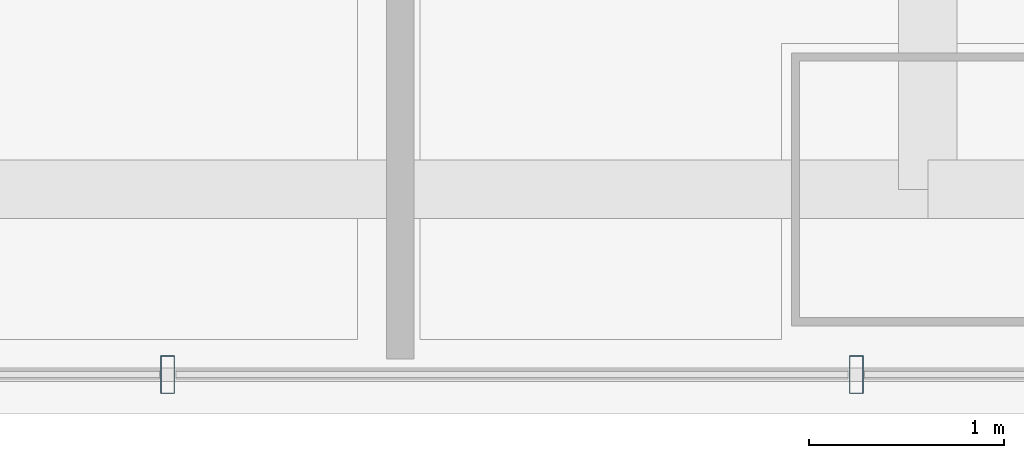
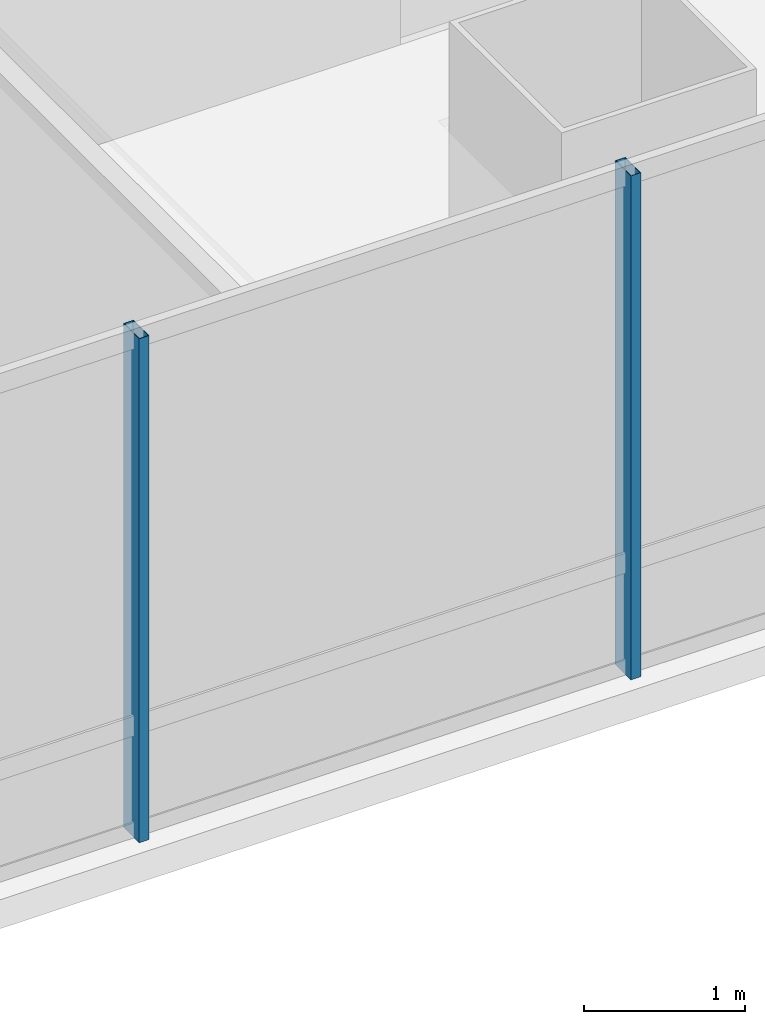
# One storey, part 7 of 37: 2 members, 1 element without a shape of its own.
"""IFC4 building model written with IfcOpenShell, lengths in metres."""

from ifc_helpers import new_model, si_unit, direction, frame, origin, origin_2d, place, context, subcontext, project, spatial, hollow_rectangle, extrude, material, material_profile, profile_set, type_object, element, aggregate, save


model = new_model("IFC4")

# Units and contexts
model_context = context("Model", 3, precision=1e-05, world=origin(), true_north=direction((0.0, 1.0)))
body_context = subcontext(model_context, "Body", "Model", "MODEL_VIEW")
ifc_project = project(units=[si_unit("LENGTHUNIT", "METRE"), si_unit("AREAUNIT", "SQUARE_METRE"), si_unit("VOLUMEUNIT", "CUBIC_METRE"), si_unit("PLANEANGLEUNIT", "RADIAN"), si_unit("MASSUNIT", "GRAM", prefix="KILO")], contexts=[model_context])

# Site, building, storey
site_placement = place(None, origin())
site = spatial("IfcSite", under=ifc_project, at=site_placement, CompositionType="ELEMENT")
building_placement = place(site_placement, origin())
building = spatial("IfcBuilding", under=site, at=building_placement, Name="Punatoya Terracotta Tower", CompositionType="ELEMENT")
storey_placement = place(building_placement, frame((0.0, 0.0, 164.10009765625)))
storey = spatial("IfcBuildingStorey", under=building, at=storey_placement, Name="L38", CompositionType="ELEMENT", Elevation=164.10009765625)

# Curtain wall, members
ifc_material_1 = material(Name="Aluminium 6063-T6 + Double Low-E Glass", Category="aluminium")
curtain_wall_type = type_object("IfcCurtainWallType", Name="CW-M2", PredefinedType="NOTDEFINED", material=ifc_material_1)
curtain_wall_placement = place(storey_placement, origin())
curtain_wall = element("IfcCurtainWall", 1, at=curtain_wall_placement, inside=storey, type_object=curtain_wall_type, Name="L38 Curtain Wall CW-L38-S01-1", PredefinedType="NOTDEFINED")
ifc_material_2 = material(Name="Aluminium 6063-T6", Category="aluminium")
ifc_material_profile = material_profile(ifc_material_2, hollow_rectangle(XDim=0.072021484375, YDim=0.195068359375, WallThickness=0.00439453125, at=origin_2d()))
ifc_profile_set = profile_set([ifc_material_profile], Name="Aluminium 6063-T6")
member_type = type_object("IfcMemberType", Name="CW-MUL-M2", PredefinedType="MULLION", material=ifc_profile_set)
member_1_placement = place(storey_placement, frame((-7.700927734375, -18.449951171875, 0.0), z_axis=(0.0, 0.0, 1.0), x_axis=(1.0, 0.0, 0.0)))
member_1 = element("IfcMember", 2, at=member_1_placement, type_object=member_type, Name="CW-L38-S01-1 Mullion 04", PredefinedType="MULLION", context=body_context, shape_type="SweptSolid", body=[
    extrude(hollow_rectangle(XDim=0.072021484375, YDim=0.195068359375, WallThickness=0.00439453125, at=origin_2d()), origin(), (0.0, 0.0, 1.0), 3.829833984375),
])
member_2_placement = place(storey_placement, frame((-4.1669921875, -18.449951171875, 0.0), z_axis=(0.0, 0.0, 1.0), x_axis=(1.0, 0.0, 0.0)))
member_2 = element("IfcMember", 3, at=member_2_placement, type_object=member_type, Name="CW-L38-S01-1 Mullion 05", PredefinedType="MULLION", context=body_context, shape_type="SweptSolid", body=[
    extrude(hollow_rectangle(XDim=0.072021484375, YDim=0.195068359375, WallThickness=0.00439453125, at=origin_2d()), origin(), (0.0, 0.0, 1.0), 3.829833984375),
])
aggregate(curtain_wall, [member_1, member_2])

save(model, "model.ifc")
